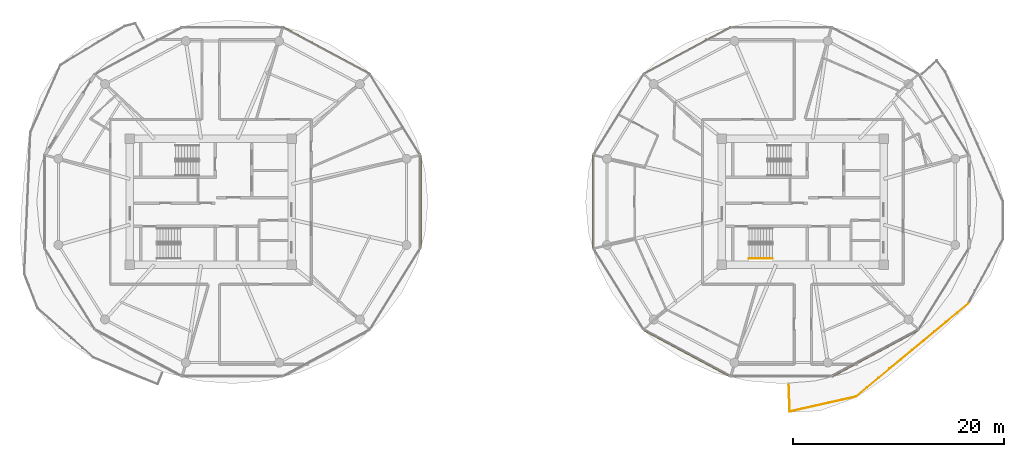
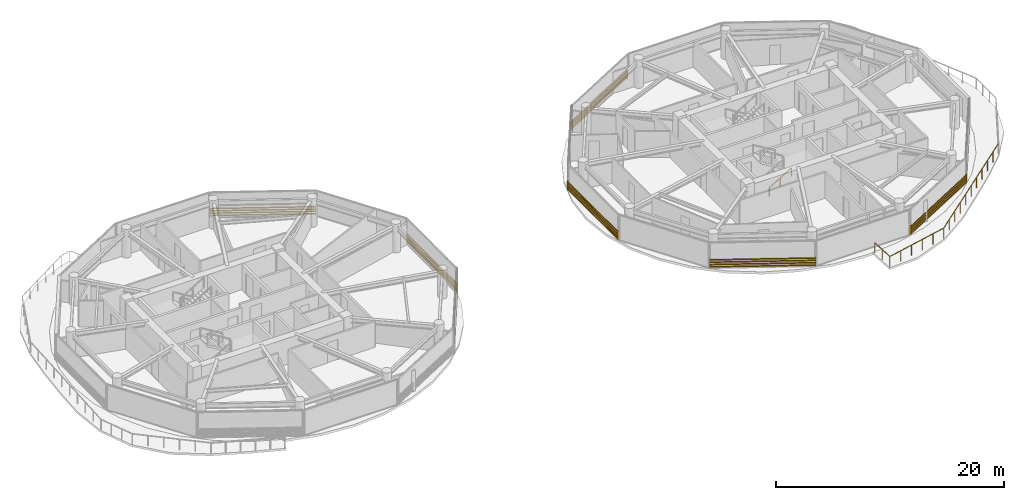
# One storey, part 21 of 22: 6 shading devices, 2 railings.
"""IFC4 building model written with IfcOpenShell, lengths in metres."""

from ifc_helpers import new_model, si_unit, direction, frame, origin, origin_2d, place, context, subcontext, project, spatial, rectangle, extrude, source, transform, mapped, material, type_object, type_shapes, element, save


model = new_model("IFC4")

# Units and contexts
model_context = context("Model", 3, precision=1e-05, world=origin(), true_north=direction((0.0, 1.0)))
body_context = subcontext(model_context, "Body", "Model", "MODEL_VIEW")
ifc_project = project(units=[si_unit("LENGTHUNIT", "METRE"), si_unit("AREAUNIT", "SQUARE_METRE"), si_unit("VOLUMEUNIT", "CUBIC_METRE"), si_unit("PLANEANGLEUNIT", "RADIAN"), si_unit("MASSUNIT", "GRAM", prefix="KILO")], contexts=[model_context])

# Site, building, storey
site_placement = place(None, origin())
site = spatial("IfcSite", under=ifc_project, at=site_placement, CompositionType="ELEMENT")
building_placement = place(site_placement, origin())
building = spatial("IfcBuilding", under=site, at=building_placement, Name="Norrkilde Senior Care Towers", CompositionType="ELEMENT")
storey_placement = place(building_placement, frame((0.0, 0.0, 96.25)))
storey = spatial("IfcBuildingStorey", under=building, at=storey_placement, Name="L29", CompositionType="ELEMENT", Elevation=96.25)

# Railings
ifc_material_1 = material(Name="Anodised Aluminium", Category="aluminium")
railing_type_1 = type_object("IfcRailingType", Name="Balcony Swirl Ribbon Guardrail 1150", PredefinedType="GUARDRAIL", material=ifc_material_1)
railing_1_placement = place(storey_placement, frame((43.647705078125, -9.625, 0.0)))
element("IfcRailing", 1, at=railing_1_placement, inside=storey, type_object=railing_type_1, Name="L29 Perimeter Safety Guard 01", PredefinedType="GUARDRAIL", context=body_context, shape_type="SweptSolid", body=[
    extrude(rectangle(XDim=0.048095703125, YDim=0.048095703125, at=origin_2d()), frame((0.0, 0.0, 1.1259765625), z_axis=(-0.769883126168, -0.638184904273, 0.0), x_axis=(0.638184904273, -0.769883126168, 0.0)), (0.0, 0.0, 1.0), 13.74951171875),
    extrude(rectangle(XDim=0.048095703125, YDim=0.048095703125, at=origin_2d()), frame((-10.65673828125, -8.809814453125, 1.1259765625), z_axis=(-0.975705478783, -0.219086326986, 0.0), x_axis=(0.219086326986, -0.975705478783, 0.0)), (0.0, 0.0, 1.0), 6.343505859375),
    extrude(rectangle(XDim=0.048095703125, YDim=0.048095703125, at=origin_2d()), frame((-16.8876953125, -10.167724609375, 1.1259765625), z_axis=(-0.036817637635, 0.999322000938, 0.0), x_axis=(-0.999322000938, -0.036817637635, 0.0)), (0.0, 0.0, 1.0), 2.472412109375),
    extrude(rectangle(XDim=0.0419921875, YDim=0.0419921875, at=origin_2d()), origin(), (0.0, 0.0, 1.0), 1.099853515625),
    extrude(rectangle(XDim=0.0419921875, YDim=0.0419921875, at=origin_2d()), frame((-1.061767578125, -0.880126953125, 0.0)), (0.0, 0.0, 1.0), 1.099853515625),
    extrude(rectangle(XDim=0.0419921875, YDim=0.0419921875, at=origin_2d()), frame((-2.123291015625, -1.76025390625, 0.0)), (0.0, 0.0, 1.0), 1.099853515625),
    extrude(rectangle(XDim=0.0419921875, YDim=0.0419921875, at=origin_2d()), frame((-3.18505859375, -2.64013671875, 0.0)), (0.0, 0.0, 1.0), 1.099853515625),
    extrude(rectangle(XDim=0.0419921875, YDim=0.0419921875, at=origin_2d()), frame((-4.246826171875, -3.520263671875, 0.0)), (0.0, 0.0, 1.0), 1.099853515625),
    extrude(rectangle(XDim=0.0419921875, YDim=0.0419921875, at=origin_2d()), frame((-5.30859375, -4.400390625, 0.0)), (0.0, 0.0, 1.0), 1.099853515625),
    extrude(rectangle(XDim=0.0419921875, YDim=0.0419921875, at=origin_2d()), frame((-6.3701171875, -5.280517578125, 0.0)), (0.0, 0.0, 1.0), 1.099853515625),
    extrude(rectangle(XDim=0.0419921875, YDim=0.0419921875, at=origin_2d()), frame((-7.431884765625, -6.16064453125, 0.0)), (0.0, 0.0, 1.0), 1.099853515625),
    extrude(rectangle(XDim=0.0419921875, YDim=0.0419921875, at=origin_2d()), frame((-8.49365234375, -7.04052734375, 0.0)), (0.0, 0.0, 1.0), 1.099853515625),
    extrude(rectangle(XDim=0.0419921875, YDim=0.0419921875, at=origin_2d()), frame((-9.55517578125, -7.920654296875, 0.0)), (0.0, 0.0, 1.0), 1.099853515625),
    extrude(rectangle(XDim=0.0419921875, YDim=0.0419921875, at=origin_2d()), frame((-10.616943359375, -8.80078125, 0.0)), (0.0, 0.0, 1.0), 1.099853515625),
    extrude(rectangle(XDim=0.0419921875, YDim=0.0419921875, at=origin_2d()), frame((-11.870849609375, -9.082275390625, 0.0)), (0.0, 0.0, 1.0), 1.099853515625),
    extrude(rectangle(XDim=0.0419921875, YDim=0.0419921875, at=origin_2d()), frame((-13.124755859375, -9.36376953125, 0.0)), (0.0, 0.0, 1.0), 1.099853515625),
    extrude(rectangle(XDim=0.0419921875, YDim=0.0419921875, at=origin_2d()), frame((-14.37841796875, -9.6455078125, 0.0)), (0.0, 0.0, 1.0), 1.099853515625),
    extrude(rectangle(XDim=0.0419921875, YDim=0.0419921875, at=origin_2d()), frame((-15.63232421875, -9.927001953125, 0.0)), (0.0, 0.0, 1.0), 1.099853515625),
    extrude(rectangle(XDim=0.0419921875, YDim=0.0419921875, at=origin_2d()), frame((-16.88623046875, -10.20849609375, 0.0)), (0.0, 0.0, 1.0), 1.099853515625),
    extrude(rectangle(XDim=0.0419921875, YDim=0.0419921875, at=origin_2d()), frame((-16.9326171875, -8.95263671875, 0.0)), (0.0, 0.0, 1.0), 1.099853515625),
    extrude(rectangle(XDim=0.0419921875, YDim=0.0419921875, at=origin_2d()), frame((-16.978759765625, -7.697021484375, 0.0)), (0.0, 0.0, 1.0), 1.099853515625),
])
ifc_material_2 = material(Name="Nordic Ash Timber", Category="wood")
railing_type_2 = type_object("IfcRailingType", Name="Wall and Stair Handrail 900", PredefinedType="HANDRAIL", material=ifc_material_2)
railing_2_placement = place(storey_placement, frame((22.89990234375, -5.35009765625, 0.16943359375)))
element("IfcRailing", 2, at=railing_2_placement, inside=storey, type_object=railing_type_2, Name="L29 ST-E2 stair handrail 1", PredefinedType="HANDRAIL", context=body_context, shape_type="SweptSolid", body=[
    extrude(rectangle(XDim=0.048095703125, YDim=0.048095703125, at=origin_2d()), frame((0.0, 0.0, 0.8759765625), z_axis=(0.855553338991, 0.0, 0.51771467445), x_axis=(0.0, 1.0, 0.0)), (0.0, 0.0, 1.0), 2.6181640625),
    extrude(rectangle(XDim=0.0419921875, YDim=0.0419921875, at=origin_2d()), origin(), (0.0, 0.0, 1.0), 0.849853515625),
    extrude(rectangle(XDim=0.0419921875, YDim=0.0419921875, at=origin_2d()), frame((1.1201171875, 0.0, 0.677734375)), (0.0, 0.0, 1.0), 0.849853515625),
    extrude(rectangle(XDim=0.0419921875, YDim=0.0419921875, at=origin_2d()), frame((2.239990234375, 0.0, 1.35546875)), (0.0, 0.0, 1.0), 0.849853515625),
])

# Shading devices
ifc_material_3 = material(Name="Architectural Terracotta", Category="masonry")
shading_device_type = type_object("IfcShadingDeviceType", Name="Horizontal Terracotta Baguette Rack", PredefinedType="USERDEFINED", material=ifc_material_3)
shared_shape_1 = source(origin(), body_context, "Body", "SweptSolid", [
    extrude(rectangle(XDim=0.070068359375, YDim=0.110107421875, at=origin_2d()), frame((0.0, 0.090087890625, 0.125), z_axis=(1.0, 0.0, 0.0), x_axis=(0.0, 1.0, 0.0)), (0.0, 0.0, 1.0), 9.3505859375),
    extrude(rectangle(XDim=0.070068359375, YDim=0.110107421875, at=origin_2d()), frame((0.0, 0.090087890625, 0.375), z_axis=(1.0, 0.0, 0.0), x_axis=(0.0, 1.0, 0.0)), (0.0, 0.0, 1.0), 9.3505859375),
    extrude(rectangle(XDim=0.070068359375, YDim=0.110107421875, at=origin_2d()), frame((0.0, 0.090087890625, 0.625), z_axis=(1.0, 0.0, 0.0), x_axis=(0.0, 1.0, 0.0)), (0.0, 0.0, 1.0), 9.3505859375),
    extrude(rectangle(XDim=0.070068359375, YDim=0.110107421875, at=origin_2d()), frame((0.0, 0.090087890625, 0.875), z_axis=(1.0, 0.0, 0.0), x_axis=(0.0, 1.0, 0.0)), (0.0, 0.0, 1.0), 9.3505859375),
    extrude(rectangle(XDim=0.050048828125, YDim=0.1552734375, at=origin_2d()), frame((0.02490234375, 0.047607421875, 0.0)), (0.0, 0.0, 1.0), 1.0),
    extrude(rectangle(XDim=0.050048828125, YDim=0.1552734375, at=origin_2d()), frame((9.32568359375, 0.047607421875, 0.0)), (0.0, 0.0, 1.0), 1.0),
])
for number, where, z_axis, x_axis, name in (
    (3, (-21.19287109375, 16.498046875, 0.080078125), (0.0, 0.0, 1.0), (0.881174934726, -0.472767624021, 0.0), "L29 Drum W Terracotta Baguette Screen 01"),
    (4, (12.953369140625, 12.077392578125, 0.080078125), (0.0, 0.0, 1.0), (0.881174934726, 0.472767624021, 0.0), "L29 Drum E Terracotta Baguette Screen 03"),
    (5, (21.19287109375, -16.498046875, 0.080078125), (0.0, 0.0, 1.0), (-0.881174934726, 0.472767624021, 0.0), "L29 Drum E Terracotta Baguette Screen 07"),
    (6, (38.946533203125, -12.077392578125, 0.080078125), (0.0, 0.0, 1.0), (-0.881174934726, -0.472767624021, 0.0), "L29 Drum E Terracotta Baguette Screen 09"),
):
    element("IfcShadingDevice", number, at=place(storey_placement, frame(where, z_axis=z_axis, x_axis=x_axis)), inside=storey, type_object=shading_device_type, Name=name, ObjectType="BAGUETTE", PredefinedType="USERDEFINED", context=body_context, shape_type="MappedRepresentation", body=[
        mapped(shared_shape_1, transform((0.0, 0.0, 0.0), x_axis=(1.0, 0.0, 0.0), y_axis=(0.0, 1.0, 0.0), z_axis=(0.0, 0.0, 1.0), scale=1.0)),
    ])
shared_shape_2 = source(origin(), body_context, "Body", "SweptSolid", [
    extrude(rectangle(XDim=0.070068359375, YDim=0.110107421875, at=origin_2d()), frame((0.0, 0.090087890625, 0.125), z_axis=(1.0, 0.0, 0.0), x_axis=(0.0, 1.0, 0.0)), (0.0, 0.0, 1.0), 8.84130859375),
    extrude(rectangle(XDim=0.070068359375, YDim=0.110107421875, at=origin_2d()), frame((0.0, 0.090087890625, 0.375), z_axis=(1.0, 0.0, 0.0), x_axis=(0.0, 1.0, 0.0)), (0.0, 0.0, 1.0), 8.84130859375),
    extrude(rectangle(XDim=0.070068359375, YDim=0.110107421875, at=origin_2d()), frame((0.0, 0.090087890625, 0.625), z_axis=(1.0, 0.0, 0.0), x_axis=(0.0, 1.0, 0.0)), (0.0, 0.0, 1.0), 8.84130859375),
    extrude(rectangle(XDim=0.070068359375, YDim=0.110107421875, at=origin_2d()), frame((0.0, 0.090087890625, 0.875), z_axis=(1.0, 0.0, 0.0), x_axis=(0.0, 1.0, 0.0)), (0.0, 0.0, 1.0), 8.84130859375),
    extrude(rectangle(XDim=0.050048828125, YDim=0.1552734375, at=origin_2d()), frame((0.02490234375, 0.047607421875, 0.0)), (0.0, 0.0, 1.0), 1.0),
    extrude(rectangle(XDim=0.050048828125, YDim=0.1552734375, at=origin_2d()), frame((8.81640625, 0.047607421875, 0.0)), (0.0, 0.0, 1.0), 1.0),
])
type_shapes(shading_device_type, [shared_shape_1, shared_shape_2])
for number, where, z_axis, x_axis, name in (
    (7, (-8.1962890625, 4.420654296875, 0.080078125), (0.0, 0.0, 1.0), (0.0, -1.0, 0.0), "L29 Drum W Terracotta Baguette Screen 11"),
    (8, (8.1962890625, -4.420654296875, 0.080078125), (0.0, 0.0, 1.0), (0.0, 1.0, 0.0), "L29 Drum E Terracotta Baguette Screen 05"),
):
    element("IfcShadingDevice", number, at=place(storey_placement, frame(where, z_axis=z_axis, x_axis=x_axis)), inside=storey, type_object=shading_device_type, Name=name, ObjectType="BAGUETTE", PredefinedType="USERDEFINED", context=body_context, shape_type="MappedRepresentation", body=[
        mapped(shared_shape_2, transform((0.0, 0.0, 0.0), x_axis=(1.0, 0.0, 0.0), y_axis=(0.0, 1.0, 0.0), z_axis=(0.0, 0.0, 1.0), scale=1.0)),
    ])

save(model, "model.ifc")
